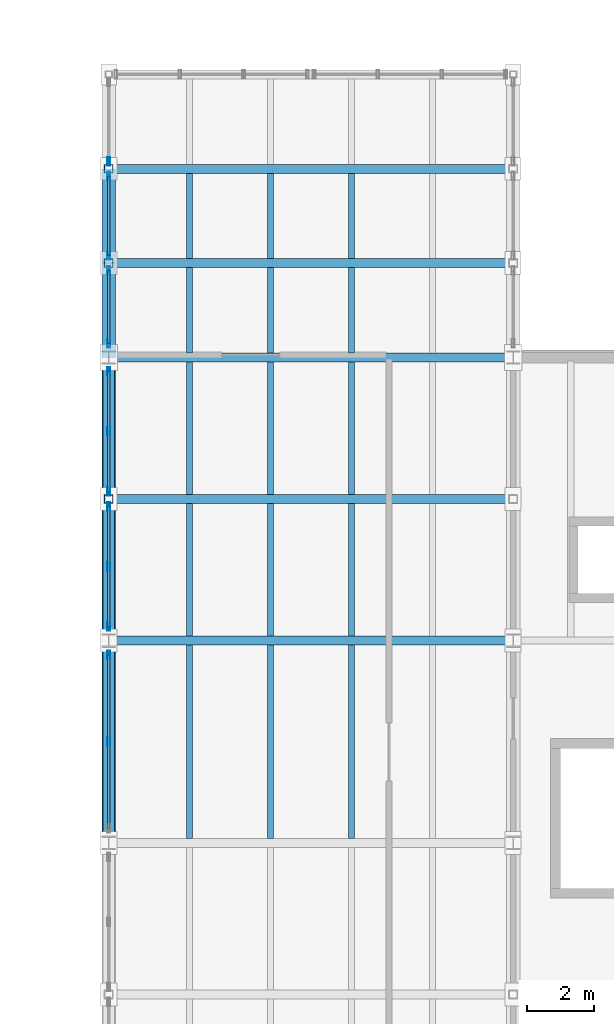
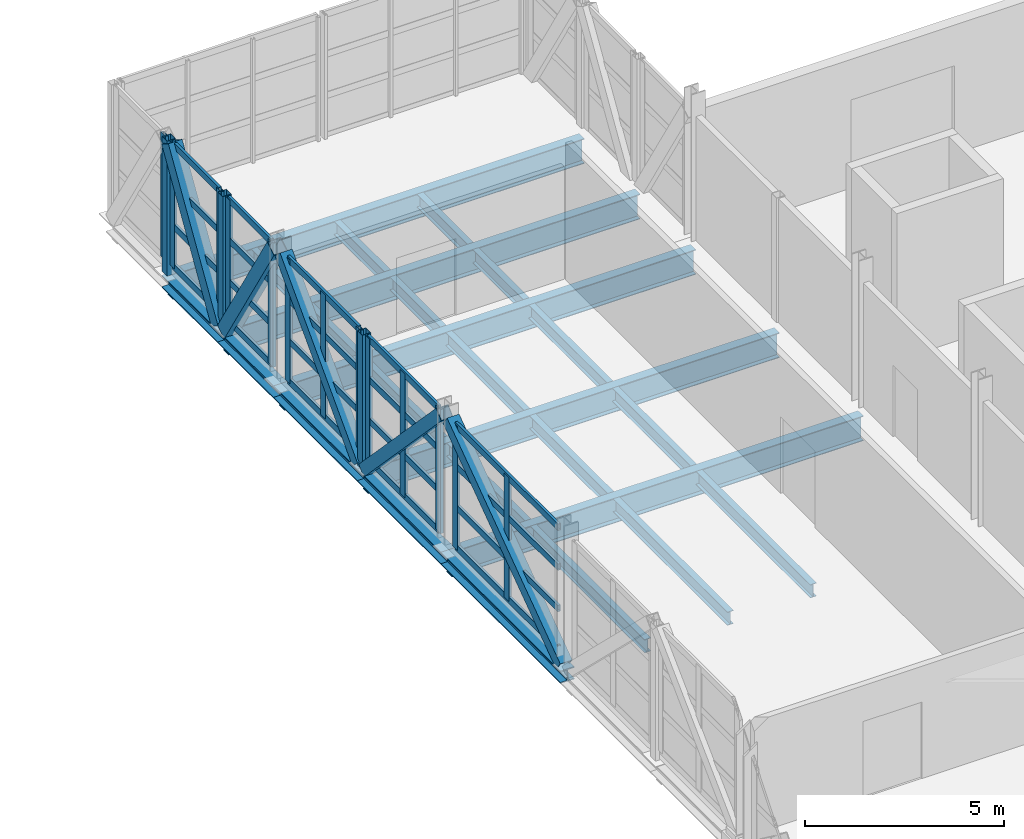
# One storey, part 25 of 63: 41 members, 25 beams, 6 elements without a shape of their own.
"""IFC4 building model written with IfcOpenShell, lengths in metres."""

from ifc_helpers import new_model, si_unit, direction, frame, origin, origin_2d, place, context, subcontext, project, spatial, hollow_rectangle, i_section, extrude, material, material_profile, profile_set, type_object, element, aggregate, save


model = new_model("IFC4")

# Units and contexts
model_context = context("Model", 3, precision=1e-05, world=origin(), true_north=direction((0.0, 1.0)))
body_context = subcontext(model_context, "Body", "Model", "MODEL_VIEW")
ifc_project = project(units=[si_unit("LENGTHUNIT", "METRE"), si_unit("AREAUNIT", "SQUARE_METRE"), si_unit("VOLUMEUNIT", "CUBIC_METRE"), si_unit("PLANEANGLEUNIT", "RADIAN"), si_unit("MASSUNIT", "GRAM", prefix="KILO")], contexts=[model_context])

# Site, building, storey
site_placement = place(None, origin())
site = spatial("IfcSite", under=ifc_project, at=site_placement, CompositionType="ELEMENT")
building_placement = place(site_placement, origin())
building = spatial("IfcBuilding", under=site, at=building_placement, Name="Kelmvaro Bay Concert Hall", CompositionType="ELEMENT")
storey_placement = place(building_placement, frame((0.0, 0.0, 13.800048828125)))
storey = spatial("IfcBuildingStorey", under=building, at=storey_placement, Name="L03", CompositionType="ELEMENT", Elevation=13.800048828125)

# Beams
ifc_material_1 = material(Name="Steel ASTM A992 Grade 50", Category="steel")
ifc_material_profile_1 = material_profile(ifc_material_1, i_section(OverallWidth=0.177978515625, OverallDepth=0.406005859375, WebThickness=0.0078125, FlangeThickness=0.0126953125, at=origin_2d()), Name="W16X40")
ifc_profile_set_1 = profile_set([ifc_material_profile_1], Name="Steel ASTM A992 Grade 50")
beam_type_1 = type_object("IfcBeamType", Name="Bridge Deck Floor Joist W16x40", PredefinedType="JOIST", material=ifc_profile_set_1)
for number, where, z_axis, x_axis, name in (
    (1, (122.39990234375, 82.93359375, -0.532958984375), (0.0, 1.0, 0.0), (-1.0, 0.0, 0.0), "Bridge Deck Joist L03-17"),
    (2, (124.800048828125, 82.93359375, -0.532958984375), (0.0, 1.0, 0.0), (-1.0, 0.0, 0.0), "Bridge Deck Joist L03-17"),
    (3, (127.199951171875, 82.93359375, -0.532958984375), (0.0, 1.0, 0.0), (-1.0, 0.0, 0.0), "Bridge Deck Joist L03-17"),
):
    element("IfcBeam", number, at=place(storey_placement, frame(where, z_axis=z_axis, x_axis=x_axis)), inside=storey, type_object=beam_type_1, Name=name, PredefinedType="JOIST", context=body_context, shape_type="SweptSolid", body=[
        extrude(i_section(OverallWidth=0.177978515625, OverallDepth=0.406005859375, WebThickness=0.0078125, FlangeThickness=0.0126953125, at=origin_2d()), origin(), (0.0, 0.0, 1.0), 5.73291015625),
    ])
for number, where, z_axis, x_axis, name in (
    (4, (122.39990234375, 88.93359375, -0.532958984375), (0.0, 1.0, 0.0), (-1.0, 0.0, 0.0), "Bridge Deck Joist L03-18"),
    (5, (124.800048828125, 88.93359375, -0.532958984375), (0.0, 1.0, 0.0), (-1.0, 0.0, 0.0), "Bridge Deck Joist L03-18"),
    (6, (127.199951171875, 88.93359375, -0.532958984375), (0.0, 1.0, 0.0), (-1.0, 0.0, 0.0), "Bridge Deck Joist L03-18"),
    (7, (122.39990234375, 93.133544921875, -0.532958984375), (0.0, 1.0, 0.0), (-1.0, 0.0, 0.0), "Bridge Deck Joist L03-19"),
    (8, (124.800048828125, 93.133544921875, -0.532958984375), (0.0, 1.0, 0.0), (-1.0, 0.0, 0.0), "Bridge Deck Joist L03-19"),
    (9, (127.199951171875, 93.133544921875, -0.532958984375), (0.0, 1.0, 0.0), (-1.0, 0.0, 0.0), "Bridge Deck Joist L03-19"),
):
    element("IfcBeam", number, at=place(storey_placement, frame(where, z_axis=z_axis, x_axis=x_axis)), inside=storey, type_object=beam_type_1, Name=name, PredefinedType="JOIST", context=body_context, shape_type="SweptSolid", body=[
        extrude(i_section(OverallWidth=0.177978515625, OverallDepth=0.406005859375, WebThickness=0.0078125, FlangeThickness=0.0126953125, at=origin_2d()), origin(), (0.0, 0.0, 1.0), 3.932861328125),
    ])
for number, where, z_axis, x_axis, name in (
    (10, (122.39990234375, 97.33349609375, -0.532958984375), (0.0, 1.0, 0.0), (-1.0, 0.0, 0.0), "Bridge Deck Joist L03-20"),
    (11, (124.800048828125, 97.33349609375, -0.532958984375), (0.0, 1.0, 0.0), (-1.0, 0.0, 0.0), "Bridge Deck Joist L03-20"),
    (12, (127.199951171875, 97.33349609375, -0.532958984375), (0.0, 1.0, 0.0), (-1.0, 0.0, 0.0), "Bridge Deck Joist L03-20"),
    (13, (122.39990234375, 100.133544921875, -0.532958984375), (0.0, 1.0, 0.0), (-1.0, 0.0, 0.0), "Bridge Deck Joist L03-21"),
    (14, (124.800048828125, 100.133544921875, -0.532958984375), (0.0, 1.0, 0.0), (-1.0, 0.0, 0.0), "Bridge Deck Joist L03-21"),
    (15, (127.199951171875, 100.133544921875, -0.532958984375), (0.0, 1.0, 0.0), (-1.0, 0.0, 0.0), "Bridge Deck Joist L03-21"),
):
    element("IfcBeam", number, at=place(storey_placement, frame(where, z_axis=z_axis, x_axis=x_axis)), inside=storey, type_object=beam_type_1, Name=name, PredefinedType="JOIST", context=body_context, shape_type="SweptSolid", body=[
        extrude(i_section(OverallWidth=0.177978515625, OverallDepth=0.406005859375, WebThickness=0.0078125, FlangeThickness=0.0126953125, at=origin_2d()), origin(), (0.0, 0.0, 1.0), 2.532958984375),
    ])

# Members
ifc_material_2 = material(Name="Steel ASTM A500 Grade C", Category="steel")
ifc_material_profile_2 = material_profile(ifc_material_2, hollow_rectangle(XDim=0.39990234375, YDim=0.39990234375, WallThickness=0.01611328125, at=origin_2d()), Name="HSS400X400X16")
ifc_profile_set_2 = profile_set([ifc_material_profile_2], Name="Steel ASTM A500 Grade C")
member_type_1 = type_object("IfcMemberType", Name="Bridge Heavy Web Diagonal HSS400x400x16", PredefinedType="BRACE", material=ifc_profile_set_2)
for number, where, z_axis, x_axis, name in (
    (16, (120.0, 97.3525390625, 3.780517578125), (0.0, 0.522610025981, -0.852571850781), (-1.0, 0.0, 0.0), "Bridge Truss W Web Diagonal 20"),
    (17, (120.0, 100.152587890625, -0.28955078125), (0.0, 0.522610025981, 0.852571850781), (-1.0, 0.0, 0.0), "Bridge Truss W Web Diagonal 21"),
):
    element("IfcMember", number, at=place(storey_placement, frame(where, z_axis=z_axis, x_axis=x_axis)), inside=storey, type_object=member_type_1, Name=name, PredefinedType="BRACE", context=body_context, shape_type="SweptSolid", body=[
        extrude(hollow_rectangle(XDim=0.39990234375, YDim=0.39990234375, WallThickness=0.01611328125, at=origin_2d()), origin(), (0.0, 0.0, 1.0), 4.77392578125),
    ])

# Curtain wall, members
ifc_material_3 = material(Name="Anodised Aluminium and Low-E Insulated Glazing", Category="aluminium")
curtain_wall_type_1 = type_object("IfcCurtainWallType", Name="Rehearsal Bridge Truss Curtain Wall 4020", PredefinedType="USERDEFINED", material=ifc_material_3)
curtain_wall_1_placement = place(storey_placement, origin())
curtain_wall_1 = element("IfcCurtainWall", 18, at=curtain_wall_1_placement, inside=storey, type_object=curtain_wall_type_1, Name="Unitised Curtain Wall CW-BRG-W17", ObjectType="UNITISED GLAZING", PredefinedType="USERDEFINED")
ifc_material_4 = material(Name="Anodised Extruded Aluminium 6063-T6", Category="aluminium")
ifc_material_profile_3 = material_profile(ifc_material_4, hollow_rectangle(XDim=0.080078125, YDim=0.25, WallThickness=0.005615234375, at=origin_2d()), Name="ALU-MUL-250X80")
ifc_profile_set_3 = profile_set([ifc_material_profile_3], Name="Anodised Extruded Aluminium 6063-T6")
member_type_2 = type_object("IfcMemberType", Name="Bridge Hurricane Mullion ALU 250x80", PredefinedType="MULLION", material=ifc_profile_set_3)
member_1_placement = place(storey_placement, frame((120.0, 85.800048828125, 0.0), z_axis=(0.0, 0.0, 1.0), x_axis=(1.0, 0.0, 0.0)))
member_1 = element("IfcMember", 19, at=member_1_placement, type_object=member_type_2, Name="CW-BRG-W17 Mullion 02", PredefinedType="MULLION", context=body_context, shape_type="SweptSolid", body=[
    extrude(hollow_rectangle(XDim=0.080078125, YDim=0.25, WallThickness=0.005615234375, at=origin_2d()), origin(), (0.0, 0.0, 1.0), 3.800048828125),
])
member_2_placement = place(storey_placement, frame((120.0, 88.3798828125, 0.0), z_axis=(0.0, 0.0, 1.0), x_axis=(1.0, 0.0, 0.0)))
member_2 = element("IfcMember", 20, at=member_2_placement, type_object=member_type_2, Name="CW-BRG-W17 Mullion 03", PredefinedType="MULLION", context=body_context, shape_type="SweptSolid", body=[
    extrude(hollow_rectangle(XDim=0.080078125, YDim=0.25, WallThickness=0.005615234375, at=origin_2d()), origin(), (0.0, 0.0, 1.0), 3.800048828125),
])

curtain_wall_2_placement = place(storey_placement, origin())
curtain_wall_2 = element("IfcCurtainWall", 21, at=curtain_wall_2_placement, inside=storey, type_object=curtain_wall_type_1, Name="Unitised Curtain Wall CW-BRG-W18", ObjectType="UNITISED GLAZING", PredefinedType="USERDEFINED")
member_3_placement = place(storey_placement, frame((120.0, 89.219970703125, 0.0), z_axis=(0.0, 0.0, 1.0), x_axis=(1.0, 0.0, 0.0)))
member_3 = element("IfcMember", 22, at=member_3_placement, type_object=member_type_2, Name="CW-BRG-W18 Mullion 01", PredefinedType="MULLION", context=body_context, shape_type="SweptSolid", body=[
    extrude(hollow_rectangle(XDim=0.080078125, YDim=0.25, WallThickness=0.005615234375, at=origin_2d()), origin(), (0.0, 0.0, 1.0), 3.800048828125),
])
member_4_placement = place(storey_placement, frame((120.0, 91.0, 0.0), z_axis=(0.0, 0.0, 1.0), x_axis=(1.0, 0.0, 0.0)))
member_4 = element("IfcMember", 23, at=member_4_placement, type_object=member_type_2, Name="CW-BRG-W18 Mullion 02", PredefinedType="MULLION", context=body_context, shape_type="SweptSolid", body=[
    extrude(hollow_rectangle(XDim=0.080078125, YDim=0.25, WallThickness=0.005615234375, at=origin_2d()), origin(), (0.0, 0.0, 1.0), 3.800048828125),
])
member_5_placement = place(storey_placement, frame((120.0, 92.780029296875, 0.0), z_axis=(0.0, 0.0, 1.0), x_axis=(1.0, 0.0, 0.0)))
member_5 = element("IfcMember", 24, at=member_5_placement, type_object=member_type_2, Name="CW-BRG-W18 Mullion 03", PredefinedType="MULLION", context=body_context, shape_type="SweptSolid", body=[
    extrude(hollow_rectangle(XDim=0.080078125, YDim=0.25, WallThickness=0.005615234375, at=origin_2d()), origin(), (0.0, 0.0, 1.0), 3.800048828125),
])

curtain_wall_3_placement = place(storey_placement, origin())
curtain_wall_3 = element("IfcCurtainWall", 25, at=curtain_wall_3_placement, inside=storey, type_object=curtain_wall_type_1, Name="Unitised Curtain Wall CW-BRG-W19", ObjectType="UNITISED GLAZING", PredefinedType="USERDEFINED")
member_6_placement = place(storey_placement, frame((120.0, 93.219970703125, 0.0), z_axis=(0.0, 0.0, 1.0), x_axis=(1.0, 0.0, 0.0)))
member_6 = element("IfcMember", 26, at=member_6_placement, type_object=member_type_2, Name="CW-BRG-W19 Mullion 01", PredefinedType="MULLION", context=body_context, shape_type="SweptSolid", body=[
    extrude(hollow_rectangle(XDim=0.080078125, YDim=0.25, WallThickness=0.005615234375, at=origin_2d()), origin(), (0.0, 0.0, 1.0), 3.800048828125),
])
member_7_placement = place(storey_placement, frame((120.0, 95.0, 0.0), z_axis=(0.0, 0.0, 1.0), x_axis=(1.0, 0.0, 0.0)))
member_7 = element("IfcMember", 27, at=member_7_placement, type_object=member_type_2, Name="CW-BRG-W19 Mullion 02", PredefinedType="MULLION", context=body_context, shape_type="SweptSolid", body=[
    extrude(hollow_rectangle(XDim=0.080078125, YDim=0.25, WallThickness=0.005615234375, at=origin_2d()), origin(), (0.0, 0.0, 1.0), 3.800048828125),
])
member_8_placement = place(storey_placement, frame((120.0, 96.780029296875, 0.0), z_axis=(0.0, 0.0, 1.0), x_axis=(1.0, 0.0, 0.0)))
member_8 = element("IfcMember", 28, at=member_8_placement, type_object=member_type_2, Name="CW-BRG-W19 Mullion 03", PredefinedType="MULLION", context=body_context, shape_type="SweptSolid", body=[
    extrude(hollow_rectangle(XDim=0.080078125, YDim=0.25, WallThickness=0.005615234375, at=origin_2d()), origin(), (0.0, 0.0, 1.0), 3.800048828125),
])

ifc_material_5 = material(Name="Anodised Aluminium and Low-E Insulated Glazing", Category="aluminium")
curtain_wall_type_2 = type_object("IfcCurtainWallType", Name="Bridge Cantilever Observation Glazing 3980", PredefinedType="USERDEFINED", material=ifc_material_5)
curtain_wall_4_placement = place(storey_placement, origin())
curtain_wall_4 = element("IfcCurtainWall", 29, at=curtain_wall_4_placement, inside=storey, type_object=curtain_wall_type_2, Name="Unitised Curtain Wall CW-BRG-W20", ObjectType="UNITISED GLAZING", PredefinedType="USERDEFINED")
member_9_placement = place(storey_placement, frame((120.0, 97.6201171875, 0.0), z_axis=(0.0, 0.0, 1.0), x_axis=(1.0, 0.0, 0.0)))
member_9 = element("IfcMember", 30, at=member_9_placement, type_object=member_type_2, Name="CW-BRG-W20 Mullion 01", PredefinedType="MULLION", context=body_context, shape_type="SweptSolid", body=[
    extrude(hollow_rectangle(XDim=0.080078125, YDim=0.25, WallThickness=0.005615234375, at=origin_2d()), origin(), (0.0, 0.0, 1.0), 3.800048828125),
])
member_10_placement = place(storey_placement, frame((120.0, 99.780029296875, 0.0), z_axis=(0.0, 0.0, 1.0), x_axis=(1.0, 0.0, 0.0)))
member_10 = element("IfcMember", 31, at=member_10_placement, type_object=member_type_2, Name="CW-BRG-W20 Mullion 02", PredefinedType="MULLION", context=body_context, shape_type="SweptSolid", body=[
    extrude(hollow_rectangle(XDim=0.080078125, YDim=0.25, WallThickness=0.005615234375, at=origin_2d()), origin(), (0.0, 0.0, 1.0), 3.800048828125),
])

curtain_wall_5_placement = place(storey_placement, origin())
curtain_wall_5 = element("IfcCurtainWall", 32, at=curtain_wall_5_placement, inside=storey, type_object=curtain_wall_type_2, Name="Unitised Curtain Wall CW-BRG-W21", ObjectType="UNITISED GLAZING", PredefinedType="USERDEFINED")
member_11_placement = place(storey_placement, frame((120.0, 100.219970703125, 0.0), z_axis=(0.0, 0.0, 1.0), x_axis=(1.0, 0.0, 0.0)))
member_11 = element("IfcMember", 33, at=member_11_placement, type_object=member_type_2, Name="CW-BRG-W21 Mullion 01", PredefinedType="MULLION", context=body_context, shape_type="SweptSolid", body=[
    extrude(hollow_rectangle(XDim=0.080078125, YDim=0.25, WallThickness=0.005615234375, at=origin_2d()), origin(), (0.0, 0.0, 1.0), 3.800048828125),
])
member_12_placement = place(storey_placement, frame((120.0, 102.580078125, 0.0), z_axis=(0.0, 0.0, 1.0), x_axis=(1.0, 0.0, 0.0)))
member_12 = element("IfcMember", 34, at=member_12_placement, type_object=member_type_2, Name="CW-BRG-W21 Mullion 02", PredefinedType="MULLION", context=body_context, shape_type="SweptSolid", body=[
    extrude(hollow_rectangle(XDim=0.080078125, YDim=0.25, WallThickness=0.005615234375, at=origin_2d()), origin(), (0.0, 0.0, 1.0), 3.800048828125),
])

# Curtain wall, member
curtain_wall_6_placement = place(storey_placement, origin())
curtain_wall_6 = element("IfcCurtainWall", 35, at=curtain_wall_6_placement, inside=storey, type_object=curtain_wall_type_2, Name="Unitised Curtain Wall CW-BRG-W22", ObjectType="UNITISED GLAZING", PredefinedType="USERDEFINED")
member_13_placement = place(storey_placement, frame((120.0, 103.02001953125, 0.0), z_axis=(0.0, 0.0, 1.0), x_axis=(1.0, 0.0, 0.0)))
member_13 = element("IfcMember", 36, at=member_13_placement, type_object=member_type_2, Name="CW-BRG-W22 Mullion 01", PredefinedType="MULLION", context=body_context, shape_type="SweptSolid", body=[
    extrude(hollow_rectangle(XDim=0.080078125, YDim=0.25, WallThickness=0.005615234375, at=origin_2d()), origin(), (0.0, 0.0, 1.0), 3.800048828125),
])
aggregate(curtain_wall_6, [member_13])

# Member
ifc_material_6 = material(Name="Anodised Extruded Aluminium 6063-T6", Category="aluminium")
ifc_material_profile_4 = material_profile(ifc_material_6, hollow_rectangle(XDim=0.074951171875, YDim=0.199951171875, WallThickness=0.0048828125, at=origin_2d()), Name="ALU-TRN-200X75")
ifc_profile_set_4 = profile_set([ifc_material_profile_4], Name="Anodised Extruded Aluminium 6063-T6")
member_type_3 = type_object("IfcMemberType", Name="Bridge Hurricane Transom ALU 200x75", PredefinedType="USERDEFINED", material=ifc_profile_set_4)
member_14_placement = place(storey_placement, frame((120.0, 83.219970703125, 0.0400390625), z_axis=(0.0, 1.0, 0.0), x_axis=(-1.0, 0.0, 0.0)))
member_14 = element("IfcMember", 37, at=member_14_placement, type_object=member_type_3, Name="CW-BRG-W17 Transom 01", ObjectType="TRANSOM", PredefinedType="USERDEFINED", context=body_context, shape_type="SweptSolid", body=[
    extrude(hollow_rectangle(XDim=0.074951171875, YDim=0.199951171875, WallThickness=0.0048828125, at=origin_2d()), origin(), (0.0, 0.0, 1.0), 5.159912109375),
])

member_15_placement = place(storey_placement, frame((120.0, 83.219970703125, 1.2666015625), z_axis=(0.0, 1.0, 0.0), x_axis=(-1.0, 0.0, 0.0)))
member_15 = element("IfcMember", 38, at=member_15_placement, type_object=member_type_3, Name="CW-BRG-W17 Transom 02", ObjectType="TRANSOM", PredefinedType="USERDEFINED", context=body_context, shape_type="SweptSolid", body=[
    extrude(hollow_rectangle(XDim=0.074951171875, YDim=0.199951171875, WallThickness=0.0048828125, at=origin_2d()), origin(), (0.0, 0.0, 1.0), 5.159912109375),
])

member_16_placement = place(storey_placement, frame((120.0, 83.219970703125, 2.533203125), z_axis=(0.0, 1.0, 0.0), x_axis=(-1.0, 0.0, 0.0)))
member_16 = element("IfcMember", 39, at=member_16_placement, type_object=member_type_3, Name="CW-BRG-W17 Transom 03", ObjectType="TRANSOM", PredefinedType="USERDEFINED", context=body_context, shape_type="SweptSolid", body=[
    extrude(hollow_rectangle(XDim=0.074951171875, YDim=0.199951171875, WallThickness=0.0048828125, at=origin_2d()), origin(), (0.0, 0.0, 1.0), 5.159912109375),
])

member_17_placement = place(storey_placement, frame((120.0, 83.219970703125, 3.760009765625), z_axis=(0.0, 1.0, 0.0), x_axis=(-1.0, 0.0, 0.0)))
member_17 = element("IfcMember", 40, at=member_17_placement, type_object=member_type_3, Name="CW-BRG-W17 Transom 04", ObjectType="TRANSOM", PredefinedType="USERDEFINED", context=body_context, shape_type="SweptSolid", body=[
    extrude(hollow_rectangle(XDim=0.074951171875, YDim=0.199951171875, WallThickness=0.0048828125, at=origin_2d()), origin(), (0.0, 0.0, 1.0), 5.159912109375),
])

aggregate(curtain_wall_1, [member_1, member_2, member_14, member_15, member_16, member_17])

member_18_placement = place(storey_placement, frame((120.0, 89.219970703125, 0.0400390625), z_axis=(0.0, 1.0, 0.0), x_axis=(-1.0, 0.0, 0.0)))
member_18 = element("IfcMember", 41, at=member_18_placement, type_object=member_type_3, Name="CW-BRG-W18 Transom 01", ObjectType="TRANSOM", PredefinedType="USERDEFINED", context=body_context, shape_type="SweptSolid", body=[
    extrude(hollow_rectangle(XDim=0.074951171875, YDim=0.199951171875, WallThickness=0.0048828125, at=origin_2d()), origin(), (0.0, 0.0, 1.0), 3.56005859375),
])

member_19_placement = place(storey_placement, frame((120.0, 89.219970703125, 1.2666015625), z_axis=(0.0, 1.0, 0.0), x_axis=(-1.0, 0.0, 0.0)))
member_19 = element("IfcMember", 42, at=member_19_placement, type_object=member_type_3, Name="CW-BRG-W18 Transom 02", ObjectType="TRANSOM", PredefinedType="USERDEFINED", context=body_context, shape_type="SweptSolid", body=[
    extrude(hollow_rectangle(XDim=0.074951171875, YDim=0.199951171875, WallThickness=0.0048828125, at=origin_2d()), origin(), (0.0, 0.0, 1.0), 3.56005859375),
])

member_20_placement = place(storey_placement, frame((120.0, 89.219970703125, 2.533203125), z_axis=(0.0, 1.0, 0.0), x_axis=(-1.0, 0.0, 0.0)))
member_20 = element("IfcMember", 43, at=member_20_placement, type_object=member_type_3, Name="CW-BRG-W18 Transom 03", ObjectType="TRANSOM", PredefinedType="USERDEFINED", context=body_context, shape_type="SweptSolid", body=[
    extrude(hollow_rectangle(XDim=0.074951171875, YDim=0.199951171875, WallThickness=0.0048828125, at=origin_2d()), origin(), (0.0, 0.0, 1.0), 3.56005859375),
])

member_21_placement = place(storey_placement, frame((120.0, 89.219970703125, 3.760009765625), z_axis=(0.0, 1.0, 0.0), x_axis=(-1.0, 0.0, 0.0)))
member_21 = element("IfcMember", 44, at=member_21_placement, type_object=member_type_3, Name="CW-BRG-W18 Transom 04", ObjectType="TRANSOM", PredefinedType="USERDEFINED", context=body_context, shape_type="SweptSolid", body=[
    extrude(hollow_rectangle(XDim=0.074951171875, YDim=0.199951171875, WallThickness=0.0048828125, at=origin_2d()), origin(), (0.0, 0.0, 1.0), 3.56005859375),
])

aggregate(curtain_wall_2, [member_3, member_4, member_5, member_18, member_19, member_20, member_21])

member_22_placement = place(storey_placement, frame((120.0, 93.219970703125, 0.0400390625), z_axis=(0.0, 1.0, 0.0), x_axis=(-1.0, 0.0, 0.0)))
member_22 = element("IfcMember", 45, at=member_22_placement, type_object=member_type_3, Name="CW-BRG-W19 Transom 01", ObjectType="TRANSOM", PredefinedType="USERDEFINED", context=body_context, shape_type="SweptSolid", body=[
    extrude(hollow_rectangle(XDim=0.074951171875, YDim=0.199951171875, WallThickness=0.0048828125, at=origin_2d()), origin(), (0.0, 0.0, 1.0), 3.56005859375),
])

member_23_placement = place(storey_placement, frame((120.0, 93.219970703125, 1.2666015625), z_axis=(0.0, 1.0, 0.0), x_axis=(-1.0, 0.0, 0.0)))
member_23 = element("IfcMember", 46, at=member_23_placement, type_object=member_type_3, Name="CW-BRG-W19 Transom 02", ObjectType="TRANSOM", PredefinedType="USERDEFINED", context=body_context, shape_type="SweptSolid", body=[
    extrude(hollow_rectangle(XDim=0.074951171875, YDim=0.199951171875, WallThickness=0.0048828125, at=origin_2d()), origin(), (0.0, 0.0, 1.0), 3.56005859375),
])

member_24_placement = place(storey_placement, frame((120.0, 93.219970703125, 2.533203125), z_axis=(0.0, 1.0, 0.0), x_axis=(-1.0, 0.0, 0.0)))
member_24 = element("IfcMember", 47, at=member_24_placement, type_object=member_type_3, Name="CW-BRG-W19 Transom 03", ObjectType="TRANSOM", PredefinedType="USERDEFINED", context=body_context, shape_type="SweptSolid", body=[
    extrude(hollow_rectangle(XDim=0.074951171875, YDim=0.199951171875, WallThickness=0.0048828125, at=origin_2d()), origin(), (0.0, 0.0, 1.0), 3.56005859375),
])

member_25_placement = place(storey_placement, frame((120.0, 93.219970703125, 3.760009765625), z_axis=(0.0, 1.0, 0.0), x_axis=(-1.0, 0.0, 0.0)))
member_25 = element("IfcMember", 48, at=member_25_placement, type_object=member_type_3, Name="CW-BRG-W19 Transom 04", ObjectType="TRANSOM", PredefinedType="USERDEFINED", context=body_context, shape_type="SweptSolid", body=[
    extrude(hollow_rectangle(XDim=0.074951171875, YDim=0.199951171875, WallThickness=0.0048828125, at=origin_2d()), origin(), (0.0, 0.0, 1.0), 3.56005859375),
])

aggregate(curtain_wall_3, [member_6, member_7, member_8, member_22, member_23, member_24, member_25])

member_26_placement = place(storey_placement, frame((120.0, 97.6201171875, 0.0400390625), z_axis=(0.0, 1.0, 0.0), x_axis=(-1.0, 0.0, 0.0)))
member_26 = element("IfcMember", 49, at=member_26_placement, type_object=member_type_3, Name="CW-BRG-W20 Transom 01", ObjectType="TRANSOM", PredefinedType="USERDEFINED", context=body_context, shape_type="SweptSolid", body=[
    extrude(hollow_rectangle(XDim=0.074951171875, YDim=0.199951171875, WallThickness=0.0048828125, at=origin_2d()), origin(), (0.0, 0.0, 1.0), 2.159912109375),
])

member_27_placement = place(storey_placement, frame((120.0, 97.6201171875, 1.2666015625), z_axis=(0.0, 1.0, 0.0), x_axis=(-1.0, 0.0, 0.0)))
member_27 = element("IfcMember", 50, at=member_27_placement, type_object=member_type_3, Name="CW-BRG-W20 Transom 02", ObjectType="TRANSOM", PredefinedType="USERDEFINED", context=body_context, shape_type="SweptSolid", body=[
    extrude(hollow_rectangle(XDim=0.074951171875, YDim=0.199951171875, WallThickness=0.0048828125, at=origin_2d()), origin(), (0.0, 0.0, 1.0), 2.159912109375),
])

member_28_placement = place(storey_placement, frame((120.0, 97.6201171875, 2.533203125), z_axis=(0.0, 1.0, 0.0), x_axis=(-1.0, 0.0, 0.0)))
member_28 = element("IfcMember", 51, at=member_28_placement, type_object=member_type_3, Name="CW-BRG-W20 Transom 03", ObjectType="TRANSOM", PredefinedType="USERDEFINED", context=body_context, shape_type="SweptSolid", body=[
    extrude(hollow_rectangle(XDim=0.074951171875, YDim=0.199951171875, WallThickness=0.0048828125, at=origin_2d()), origin(), (0.0, 0.0, 1.0), 2.159912109375),
])

member_29_placement = place(storey_placement, frame((120.0, 97.6201171875, 3.760009765625), z_axis=(0.0, 1.0, 0.0), x_axis=(-1.0, 0.0, 0.0)))
member_29 = element("IfcMember", 52, at=member_29_placement, type_object=member_type_3, Name="CW-BRG-W20 Transom 04", ObjectType="TRANSOM", PredefinedType="USERDEFINED", context=body_context, shape_type="SweptSolid", body=[
    extrude(hollow_rectangle(XDim=0.074951171875, YDim=0.199951171875, WallThickness=0.0048828125, at=origin_2d()), origin(), (0.0, 0.0, 1.0), 2.159912109375),
])

aggregate(curtain_wall_4, [member_9, member_10, member_26, member_27, member_28, member_29])

member_30_placement = place(storey_placement, frame((120.0, 100.219970703125, 0.0400390625), z_axis=(0.0, 1.0, 0.0), x_axis=(-1.0, 0.0, 0.0)))
member_30 = element("IfcMember", 53, at=member_30_placement, type_object=member_type_3, Name="CW-BRG-W21 Transom 01", ObjectType="TRANSOM", PredefinedType="USERDEFINED", context=body_context, shape_type="SweptSolid", body=[
    extrude(hollow_rectangle(XDim=0.074951171875, YDim=0.199951171875, WallThickness=0.0048828125, at=origin_2d()), origin(), (0.0, 0.0, 1.0), 2.360107421875),
])

member_31_placement = place(storey_placement, frame((120.0, 100.219970703125, 1.2666015625), z_axis=(0.0, 1.0, 0.0), x_axis=(-1.0, 0.0, 0.0)))
member_31 = element("IfcMember", 54, at=member_31_placement, type_object=member_type_3, Name="CW-BRG-W21 Transom 02", ObjectType="TRANSOM", PredefinedType="USERDEFINED", context=body_context, shape_type="SweptSolid", body=[
    extrude(hollow_rectangle(XDim=0.074951171875, YDim=0.199951171875, WallThickness=0.0048828125, at=origin_2d()), origin(), (0.0, 0.0, 1.0), 2.360107421875),
])

member_32_placement = place(storey_placement, frame((120.0, 100.219970703125, 2.533203125), z_axis=(0.0, 1.0, 0.0), x_axis=(-1.0, 0.0, 0.0)))
member_32 = element("IfcMember", 55, at=member_32_placement, type_object=member_type_3, Name="CW-BRG-W21 Transom 03", ObjectType="TRANSOM", PredefinedType="USERDEFINED", context=body_context, shape_type="SweptSolid", body=[
    extrude(hollow_rectangle(XDim=0.074951171875, YDim=0.199951171875, WallThickness=0.0048828125, at=origin_2d()), origin(), (0.0, 0.0, 1.0), 2.360107421875),
])

member_33_placement = place(storey_placement, frame((120.0, 100.219970703125, 3.760009765625), z_axis=(0.0, 1.0, 0.0), x_axis=(-1.0, 0.0, 0.0)))
member_33 = element("IfcMember", 56, at=member_33_placement, type_object=member_type_3, Name="CW-BRG-W21 Transom 04", ObjectType="TRANSOM", PredefinedType="USERDEFINED", context=body_context, shape_type="SweptSolid", body=[
    extrude(hollow_rectangle(XDim=0.074951171875, YDim=0.199951171875, WallThickness=0.0048828125, at=origin_2d()), origin(), (0.0, 0.0, 1.0), 2.360107421875),
])

aggregate(curtain_wall_5, [member_11, member_12, member_30, member_31, member_32, member_33])

# Members
ifc_material_7 = material(Name="Steel ASTM A500 Grade C", Category="steel")
ifc_material_profile_5 = material_profile(ifc_material_7, hollow_rectangle(XDim=0.35009765625, YDim=0.35009765625, WallThickness=0.01611328125, at=origin_2d()), Name="HSS350X350X16")
ifc_profile_set_5 = profile_set([ifc_material_profile_5], Name="Steel ASTM A500 Grade C")
member_type_4 = type_object("IfcMemberType", Name="Bridge Standard Web Diagonal HSS350x350x16", PredefinedType="BRACE", material=ifc_profile_set_5)
member_34_placement = place(storey_placement, frame((120.0, 82.95947265625, -0.296142578125), z_axis=(0.0, 0.812037077048, 0.583605847725), x_axis=(-1.0, 0.0, 0.0)))
element("IfcMember", 57, at=member_34_placement, inside=storey, type_object=member_type_4, Name="Bridge Truss W Web Diagonal 17", PredefinedType="BRACE", context=body_context, shape_type="SweptSolid", body=[
    extrude(hollow_rectangle(XDim=0.35009765625, YDim=0.35009765625, WallThickness=0.01611328125, at=origin_2d()), origin(), (0.0, 0.0, 1.0), 6.99609375),
])
for number, where, z_axis, x_axis, name in (
    (58, (120.0, 88.95654296875, 3.78369140625), (0.0, 0.690089061279, -0.72372445551), (-1.0, 0.0, 0.0), "Bridge Truss W Web Diagonal 18"),
    (59, (120.0, 93.156494140625, -0.292724609375), (0.0, 0.690089061279, 0.72372445551), (-1.0, 0.0, 0.0), "Bridge Truss W Web Diagonal 19"),
):
    element("IfcMember", number, at=place(storey_placement, frame(where, z_axis=z_axis, x_axis=x_axis)), inside=storey, type_object=member_type_4, Name=name, PredefinedType="BRACE", context=body_context, shape_type="SweptSolid", body=[
        extrude(hollow_rectangle(XDim=0.35009765625, YDim=0.35009765625, WallThickness=0.01611328125, at=origin_2d()), origin(), (0.0, 0.0, 1.0), 5.632568359375),
    ])

# Beams
ifc_material_8 = material(Name="Steel ASTM A992 Grade 50", Category="steel")
ifc_material_profile_6 = material_profile(ifc_material_8, i_section(OverallWidth=0.26708984375, OverallDepth=0.761962890625, WebThickness=0.014404296875, FlangeThickness=0.021484375, at=origin_2d()), Name="W30X116")
ifc_profile_set_6 = profile_set([ifc_material_profile_6], Name="Steel ASTM A992 Grade 50")
beam_type_2 = type_object("IfcBeamType", Name="Bridge Transverse Floor Girder W30x116", PredefinedType="BEAM", material=ifc_profile_set_6)
for number, where, z_axis, x_axis, name in (
    (60, (120.0400390625, 88.800048828125, -0.7109375), (1.0, 0.0, 0.0), (0.0, 1.0, 0.0), "Bridge Transverse Floor Girder L03-18"),
    (61, (120.0400390625, 93.0, -0.7109375), (1.0, 0.0, 0.0), (0.0, 1.0, 0.0), "Bridge Transverse Floor Girder L03-19"),
    (62, (120.0400390625, 97.199951171875, -0.7109375), (1.0, 0.0, 0.0), (0.0, 1.0, 0.0), "Bridge Transverse Floor Girder L03-20"),
    (63, (120.0400390625, 100.0, -0.7109375), (1.0, 0.0, 0.0), (0.0, 1.0, 0.0), "Bridge Transverse Floor Girder L03-21"),
    (64, (120.0400390625, 102.800048828125, -0.7109375), (1.0, 0.0, 0.0), (0.0, 1.0, 0.0), "Bridge Transverse Floor Girder L03-22"),
):
    element("IfcBeam", number, at=place(storey_placement, frame(where, z_axis=z_axis, x_axis=x_axis)), inside=storey, type_object=beam_type_2, Name=name, PredefinedType="BEAM", context=body_context, shape_type="SweptSolid", body=[
        extrude(i_section(OverallWidth=0.26708984375, OverallDepth=0.761962890625, WebThickness=0.014404296875, FlangeThickness=0.021484375, at=origin_2d()), origin(), (0.0, 0.0, 1.0), 11.919921875),
    ])
ifc_material_9 = material(Name="Steel ASTM A992 Grade 50", Category="steel")
ifc_material_profile_7 = material_profile(ifc_material_9, i_section(OverallWidth=0.39892578125, OverallDepth=0.385986328125, WebThickness=0.02099609375, FlangeThickness=0.033203125, at=origin_2d()), Name="W14X176")
ifc_profile_set_7 = profile_set([ifc_material_profile_7], Name="Steel ASTM A992 Grade 50")
beam_type_3 = type_object("IfcBeamType", Name="Bridge Truss Bottom Chord W14x176", PredefinedType="BEAM", material=ifc_profile_set_7)
beam_placement = place(storey_placement, frame((120.0, 82.800048828125, -0.52294921875), z_axis=(0.0, 1.0, 0.0), x_axis=(-1.0, 0.0, 0.0)))
element("IfcBeam", 65, at=beam_placement, inside=storey, type_object=beam_type_3, Name="Bridge Truss W Bottom Chord 17", PredefinedType="BEAM", context=body_context, shape_type="SweptSolid", body=[
    extrude(i_section(OverallWidth=0.39892578125, OverallDepth=0.385986328125, WebThickness=0.02099609375, FlangeThickness=0.033203125, at=origin_2d()), origin(), (0.0, 0.0, 1.0), 6.0),
])
for number, where, z_axis, x_axis, name in (
    (66, (120.0, 88.800048828125, -0.52294921875), (0.0, 1.0, 0.0), (-1.0, 0.0, 0.0), "Bridge Truss W Bottom Chord 18"),
    (67, (120.0, 93.0, -0.52294921875), (0.0, 1.0, 0.0), (-1.0, 0.0, 0.0), "Bridge Truss W Bottom Chord 19"),
):
    element("IfcBeam", number, at=place(storey_placement, frame(where, z_axis=z_axis, x_axis=x_axis)), inside=storey, type_object=beam_type_3, Name=name, PredefinedType="BEAM", context=body_context, shape_type="SweptSolid", body=[
        extrude(i_section(OverallWidth=0.39892578125, OverallDepth=0.385986328125, WebThickness=0.02099609375, FlangeThickness=0.033203125, at=origin_2d()), origin(), (0.0, 0.0, 1.0), 4.199951171875),
    ])
for number, where, z_axis, x_axis, name in (
    (68, (120.0, 97.199951171875, -0.52294921875), (0.0, 1.0, 0.0), (-1.0, 0.0, 0.0), "Bridge Truss W Bottom Chord 20"),
    (69, (120.0, 100.0, -0.52294921875), (0.0, 1.0, 0.0), (-1.0, 0.0, 0.0), "Bridge Truss W Bottom Chord 21"),
):
    element("IfcBeam", number, at=place(storey_placement, frame(where, z_axis=z_axis, x_axis=x_axis)), inside=storey, type_object=beam_type_3, Name=name, PredefinedType="BEAM", context=body_context, shape_type="SweptSolid", body=[
        extrude(i_section(OverallWidth=0.39892578125, OverallDepth=0.385986328125, WebThickness=0.02099609375, FlangeThickness=0.033203125, at=origin_2d()), origin(), (0.0, 0.0, 1.0), 2.800048828125),
    ])

# Members
ifc_material_10 = material(Name="Steel ASTM A500 Grade C", Category="steel")
ifc_material_profile_8 = material_profile(ifc_material_10, hollow_rectangle(XDim=0.25, YDim=0.25, WallThickness=0.010009765625, at=origin_2d()), Name="HSS250X250X10")
ifc_profile_set_8 = profile_set([ifc_material_profile_8], Name="Steel ASTM A500 Grade C")
member_type_5 = type_object("IfcMemberType", Name="Bridge Truss Vertical Post HSS250x250x10", PredefinedType="STRUT", material=ifc_profile_set_8)
for number, where, z_axis, x_axis, name in (
    (70, (120.0, 93.0, -0.322021484375), (0.0, 0.0, 1.0), (1.0, 0.0, 0.0), "Bridge Truss W Vertical Post 19"),
    (71, (120.0, 100.0, -0.322021484375), (0.0, 0.0, 1.0), (1.0, 0.0, 0.0), "Bridge Truss W Vertical Post 21"),
    (72, (120.0, 102.800048828125, -0.322021484375), (0.0, 0.0, 1.0), (1.0, 0.0, 0.0), "Bridge Truss W Vertical Post 22"),
):
    element("IfcMember", number, at=place(storey_placement, frame(where, z_axis=z_axis, x_axis=x_axis)), inside=storey, type_object=member_type_5, Name=name, PredefinedType="STRUT", context=body_context, shape_type="SweptSolid", body=[
        extrude(hollow_rectangle(XDim=0.25, YDim=0.25, WallThickness=0.010009765625, at=origin_2d()), origin(), (0.0, 0.0, 1.0), 4.135009765625),
    ])

save(model, "model.ifc")
